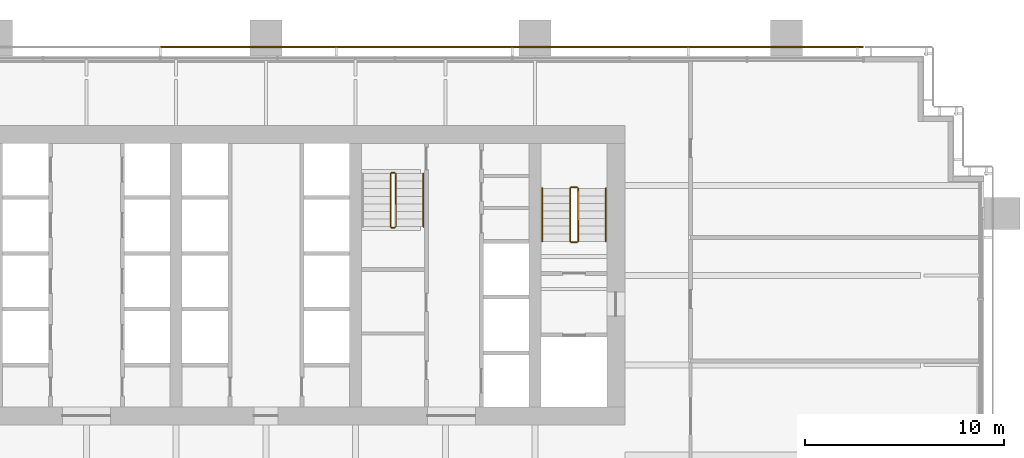
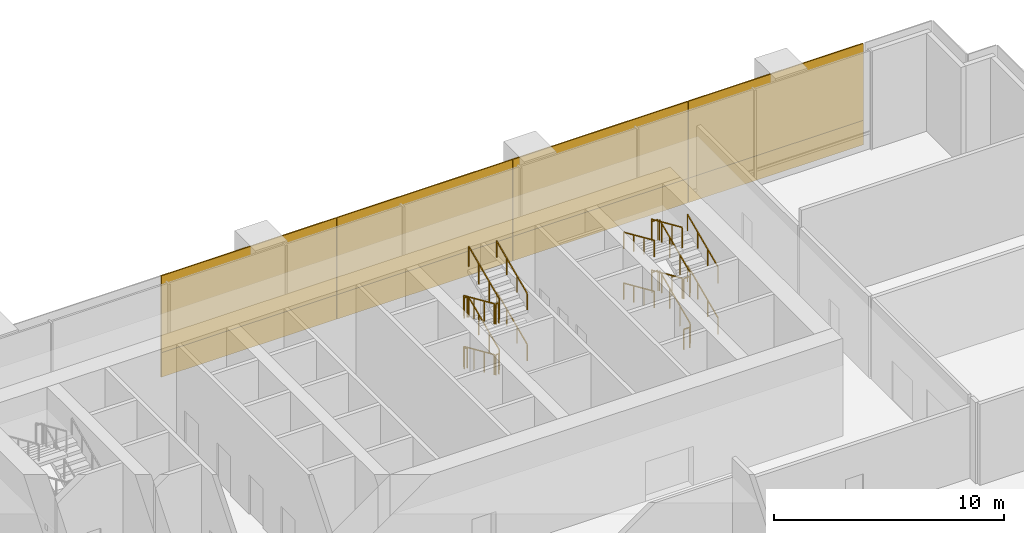
# One storey, part 14 of 15: 22 railings, 8 coverings.
"""IFC4 building model written with IfcOpenShell, lengths in metres."""

from ifc_helpers import new_model, si_unit, direction, frame, origin, origin_2d, place, context, subcontext, project, spatial, rectangle, extrude, material, layer, layer_set, type_object, element, save


model = new_model("IFC4")

# Units and contexts
model_context = context("Model", 3, precision=1e-05, world=origin(), true_north=direction((0.0, 1.0)))
body_context = subcontext(model_context, "Body", "Model", "MODEL_VIEW")
ifc_project = project(units=[si_unit("LENGTHUNIT", "METRE"), si_unit("AREAUNIT", "SQUARE_METRE"), si_unit("VOLUMEUNIT", "CUBIC_METRE"), si_unit("PLANEANGLEUNIT", "RADIAN"), si_unit("MASSUNIT", "GRAM", prefix="KILO")], contexts=[model_context])

# Site, building, storey
site_placement = place(None, origin())
site = spatial("IfcSite", under=ifc_project, at=site_placement, CompositionType="ELEMENT")
building_placement = place(site_placement, origin())
building = spatial("IfcBuilding", under=site, at=building_placement, Name="Rattan Terrace Tower", CompositionType="ELEMENT")
storey_placement = place(building_placement, frame((0.0, 0.0, 74.300048828125)))
storey = spatial("IfcBuildingStorey", under=building, at=storey_placement, Name="L16", CompositionType="ELEMENT", Elevation=74.300048828125)

# Railings
ifc_material_1 = material(Name="Powder-coated steel guard", Category="steel")
railing_type_1 = type_object("IfcRailingType", Name="Core stair guard", PredefinedType="GUARDRAIL", material=ifc_material_1)
railing_1_placement = place(storey_placement, frame((15.64990234375, 1.699951171875, 0.168701171875)))
element("IfcRailing", 1, at=railing_1_placement, inside=storey, type_object=railing_type_1, Name="L16 S2 stair guard 1", PredefinedType="GUARDRAIL", context=body_context, shape_type="SweptSolid", body=[
    extrude(rectangle(XDim=0.048095703125, YDim=0.048095703125, at=origin_2d()), frame((0.0, 0.0, 1.076171875), z_axis=(0.0, 0.913956766905, 0.405811567391), x_axis=(-1.0, 0.0, 0.0)), (0.0, 0.0, 1.0), 2.91064453125),
    extrude(rectangle(XDim=0.0419921875, YDim=0.0419921875, at=origin_2d()), origin(), (0.0, 0.0, 1.0), 1.052001953125),
    extrude(rectangle(XDim=0.0419921875, YDim=0.0419921875, at=origin_2d()), frame((0.0, 0.88671875, 0.393798828125)), (0.0, 0.0, 1.0), 1.052001953125),
    extrude(rectangle(XDim=0.0419921875, YDim=0.0419921875, at=origin_2d()), frame((0.0, 1.7734375, 0.787353515625)), (0.0, 0.0, 1.0), 1.052001953125),
    extrude(rectangle(XDim=0.0419921875, YDim=0.0419921875, at=origin_2d()), frame((0.0, 2.66015625, 1.18115234375)), (0.0, 0.0, 1.0), 1.052001953125),
])
railing_2_placement = place(storey_placement, frame((15.60009765625, 4.409912109375, 1.349853515625)))
element("IfcRailing", 2, at=railing_2_placement, inside=storey, type_object=railing_type_1, Name="L16 S2 stair guard 2", PredefinedType="GUARDRAIL", context=body_context, shape_type="SweptSolid", body=[
    extrude(rectangle(XDim=0.048095703125, YDim=0.048095703125, at=origin_2d()), frame((0.0, 0.0, 1.076171875), z_axis=(-1.0, 0.0, 0.0), x_axis=(0.0, -1.0, 0.0)), (0.0, 0.0, 1.0), 0.300048828125),
    extrude(rectangle(XDim=0.0419921875, YDim=0.0419921875, at=origin_2d()), origin(), (0.0, 0.0, 1.0), 1.052001953125),
    extrude(rectangle(XDim=0.0419921875, YDim=0.0419921875, at=origin_2d()), frame((-0.300048828125, 0.0, 0.0)), (0.0, 0.0, 1.0), 1.052001953125),
])
railing_3_placement = place(storey_placement, frame((15.25, 4.360107421875, 1.518798828125)))
element("IfcRailing", 3, at=railing_3_placement, inside=storey, type_object=railing_type_1, Name="L16 S2 stair guard 3", PredefinedType="GUARDRAIL", context=body_context, shape_type="SweptSolid", body=[
    extrude(rectangle(XDim=0.048095703125, YDim=0.048095703125, at=origin_2d()), frame((0.0, 0.0, 1.076171875), z_axis=(0.0, -0.913956766905, 0.405811567391), x_axis=(1.0, 0.0, 0.0)), (0.0, 0.0, 1.0), 2.91064453125),
    extrude(rectangle(XDim=0.0419921875, YDim=0.0419921875, at=origin_2d()), origin(), (0.0, 0.0, 1.0), 1.052001953125),
    extrude(rectangle(XDim=0.0419921875, YDim=0.0419921875, at=origin_2d()), frame((0.0, -0.88671875, 0.393798828125)), (0.0, 0.0, 1.0), 1.052001953125),
    extrude(rectangle(XDim=0.0419921875, YDim=0.0419921875, at=origin_2d()), frame((0.0, -1.7734375, 0.787353515625)), (0.0, 0.0, 1.0), 1.052001953125),
    extrude(rectangle(XDim=0.0419921875, YDim=0.0419921875, at=origin_2d()), frame((0.0, -2.66015625, 1.18115234375)), (0.0, 0.0, 1.0), 1.052001953125),
])
railing_4_placement = place(storey_placement, frame((15.60009765625, 1.64990234375, 2.699951171875)))
element("IfcRailing", 4, at=railing_4_placement, inside=storey, type_object=railing_type_1, Name="L16 S2 stair guard 4", PredefinedType="GUARDRAIL", context=body_context, shape_type="SweptSolid", body=[
    extrude(rectangle(XDim=0.048095703125, YDim=0.048095703125, at=origin_2d()), frame((0.0, 0.0, 1.076171875), z_axis=(-1.0, 0.0, 0.0), x_axis=(0.0, -1.0, 0.0)), (0.0, 0.0, 1.0), 0.300048828125),
    extrude(rectangle(XDim=0.0419921875, YDim=0.0419921875, at=origin_2d()), origin(), (0.0, 0.0, 1.0), 1.052001953125),
    extrude(rectangle(XDim=0.0419921875, YDim=0.0419921875, at=origin_2d()), frame((-0.300048828125, 0.0, 0.0)), (0.0, 0.0, 1.0), 1.052001953125),
])
railing_5_placement = place(storey_placement, frame((15.64990234375, 1.699951171875, 2.86865234375)))
element("IfcRailing", 5, at=railing_5_placement, inside=storey, type_object=railing_type_1, Name="L16 S2 stair guard 5", PredefinedType="GUARDRAIL", context=body_context, shape_type="SweptSolid", body=[
    extrude(rectangle(XDim=0.048095703125, YDim=0.048095703125, at=origin_2d()), frame((0.0, 0.0, 1.076171875), z_axis=(0.0, 0.913925654661, 0.405881630223), x_axis=(-1.0, 0.0, 0.0)), (0.0, 0.0, 1.0), 2.91064453125),
    extrude(rectangle(XDim=0.0419921875, YDim=0.0419921875, at=origin_2d()), origin(), (0.0, 0.0, 1.0), 1.052001953125),
    extrude(rectangle(XDim=0.0419921875, YDim=0.0419921875, at=origin_2d()), frame((0.0, 0.88671875, 0.393798828125)), (0.0, 0.0, 1.0), 1.052001953125),
    extrude(rectangle(XDim=0.0419921875, YDim=0.0419921875, at=origin_2d()), frame((0.0, 1.7734375, 0.78759765625)), (0.0, 0.0, 1.0), 1.052001953125),
    extrude(rectangle(XDim=0.0419921875, YDim=0.0419921875, at=origin_2d()), frame((0.0, 2.66015625, 1.181396484375)), (0.0, 0.0, 1.0), 1.052001953125),
])
railing_6_placement = place(storey_placement, frame((15.60009765625, 4.409912109375, 4.050048828125)))
element("IfcRailing", 6, at=railing_6_placement, inside=storey, type_object=railing_type_1, Name="L16 S2 stair guard 6", PredefinedType="GUARDRAIL", context=body_context, shape_type="SweptSolid", body=[
    extrude(rectangle(XDim=0.048095703125, YDim=0.048095703125, at=origin_2d()), frame((0.0, 0.0, 1.076171875), z_axis=(-1.0, 0.0, 0.0), x_axis=(0.0, -1.0, 0.0)), (0.0, 0.0, 1.0), 0.300048828125),
    extrude(rectangle(XDim=0.0419921875, YDim=0.0419921875, at=origin_2d()), origin(), (0.0, 0.0, 1.0), 1.052001953125),
    extrude(rectangle(XDim=0.0419921875, YDim=0.0419921875, at=origin_2d()), frame((-0.300048828125, 0.0, 0.0)), (0.0, 0.0, 1.0), 1.052001953125),
])
railing_7_placement = place(storey_placement, frame((15.25, 4.360107421875, 4.21875)))
element("IfcRailing", 7, at=railing_7_placement, inside=storey, type_object=railing_type_1, Name="L16 S2 stair guard 7", PredefinedType="GUARDRAIL", context=body_context, shape_type="SweptSolid", body=[
    extrude(rectangle(XDim=0.048095703125, YDim=0.048095703125, at=origin_2d()), frame((0.0, 0.0, 1.076171875), z_axis=(0.0, -0.913956766905, 0.405811567391), x_axis=(1.0, 0.0, 0.0)), (0.0, 0.0, 1.0), 2.91064453125),
    extrude(rectangle(XDim=0.0419921875, YDim=0.0419921875, at=origin_2d()), origin(), (0.0, 0.0, 1.0), 1.052001953125),
    extrude(rectangle(XDim=0.0419921875, YDim=0.0419921875, at=origin_2d()), frame((0.0, -0.88671875, 0.393798828125)), (0.0, 0.0, 1.0), 1.052001953125),
    extrude(rectangle(XDim=0.0419921875, YDim=0.0419921875, at=origin_2d()), frame((0.0, -1.7734375, 0.787353515625)), (0.0, 0.0, 1.0), 1.052001953125),
    extrude(rectangle(XDim=0.0419921875, YDim=0.0419921875, at=origin_2d()), frame((0.0, -2.66015625, 1.18115234375)), (0.0, 0.0, 1.0), 1.052001953125),
])
railing_8_placement = place(storey_placement, frame((15.60009765625, 1.64990234375, 0.0)))
element("IfcRailing", 8, at=railing_8_placement, inside=storey, type_object=railing_type_1, Name="L16 S2 stair guard 8", PredefinedType="GUARDRAIL", context=body_context, shape_type="SweptSolid", body=[
    extrude(rectangle(XDim=0.048095703125, YDim=0.048095703125, at=origin_2d()), frame((0.0, 0.0, 1.076171875), z_axis=(-1.0, 0.0, 0.0), x_axis=(0.0, -1.0, 0.0)), (0.0, 0.0, 1.0), 0.300048828125),
    extrude(rectangle(XDim=0.0419921875, YDim=0.0419921875, at=origin_2d()), origin(), (0.0, 0.0, 1.0), 1.052001953125),
    extrude(rectangle(XDim=0.0419921875, YDim=0.0419921875, at=origin_2d()), frame((-0.300048828125, 0.0, 0.0)), (0.0, 0.0, 1.0), 1.052001953125),
])
railing_9_placement = place(storey_placement, frame((6.25, 5.10009765625, 0.168701171875)))
element("IfcRailing", 9, at=railing_9_placement, inside=storey, type_object=railing_type_1, Name="L16 S3 stair guard 1", PredefinedType="GUARDRAIL", context=body_context, shape_type="SweptSolid", body=[
    extrude(rectangle(XDim=0.048095703125, YDim=0.048095703125, at=origin_2d()), frame((0.0, 0.0, 1.076171875), z_axis=(0.0, -0.913956766905, 0.405811567391), x_axis=(1.0, 0.0, 0.0)), (0.0, 0.0, 1.0), 2.91064453125),
    extrude(rectangle(XDim=0.0419921875, YDim=0.0419921875, at=origin_2d()), origin(), (0.0, 0.0, 1.0), 1.052001953125),
    extrude(rectangle(XDim=0.0419921875, YDim=0.0419921875, at=origin_2d()), frame((0.0, -0.88671875, 0.393798828125)), (0.0, 0.0, 1.0), 1.052001953125),
    extrude(rectangle(XDim=0.0419921875, YDim=0.0419921875, at=origin_2d()), frame((0.0, -1.7734375, 0.787353515625)), (0.0, 0.0, 1.0), 1.052001953125),
    extrude(rectangle(XDim=0.0419921875, YDim=0.0419921875, at=origin_2d()), frame((0.0, -2.66015625, 1.18115234375)), (0.0, 0.0, 1.0), 1.052001953125),
])
railing_10_placement = place(storey_placement, frame((6.300048828125, 2.389892578125, 1.349853515625)))
element("IfcRailing", 10, at=railing_10_placement, inside=storey, type_object=railing_type_1, Name="L16 S3 stair guard 2", PredefinedType="GUARDRAIL", context=body_context, shape_type="SweptSolid", body=[
    extrude(rectangle(XDim=0.048095703125, YDim=0.048095703125, at=origin_2d()), frame((0.0, 0.0, 1.076171875), z_axis=(1.0, 0.0, 0.0), x_axis=(0.0, 1.0, 0.0)), (0.0, 0.0, 1.0), 0.14990234375),
    extrude(rectangle(XDim=0.0419921875, YDim=0.0419921875, at=origin_2d()), origin(), (0.0, 0.0, 1.0), 1.052001953125),
    extrude(rectangle(XDim=0.0419921875, YDim=0.0419921875, at=origin_2d()), frame((0.14990234375, 0.0, 0.0)), (0.0, 0.0, 1.0), 1.052001953125),
])
railing_11_placement = place(storey_placement, frame((6.5, 2.43994140625, 1.518798828125)))
element("IfcRailing", 11, at=railing_11_placement, inside=storey, type_object=railing_type_1, Name="L16 S3 stair guard 3", PredefinedType="GUARDRAIL", context=body_context, shape_type="SweptSolid", body=[
    extrude(rectangle(XDim=0.048095703125, YDim=0.048095703125, at=origin_2d()), frame((0.0, 0.0, 1.076171875), z_axis=(0.0, 0.913956766905, 0.405811567391), x_axis=(-1.0, 0.0, 0.0)), (0.0, 0.0, 1.0), 2.91064453125),
    extrude(rectangle(XDim=0.0419921875, YDim=0.0419921875, at=origin_2d()), origin(), (0.0, 0.0, 1.0), 1.052001953125),
    extrude(rectangle(XDim=0.0419921875, YDim=0.0419921875, at=origin_2d()), frame((0.0, 0.88671875, 0.393798828125)), (0.0, 0.0, 1.0), 1.052001953125),
    extrude(rectangle(XDim=0.0419921875, YDim=0.0419921875, at=origin_2d()), frame((0.0, 1.7734375, 0.787353515625)), (0.0, 0.0, 1.0), 1.052001953125),
    extrude(rectangle(XDim=0.0419921875, YDim=0.0419921875, at=origin_2d()), frame((0.0, 2.66015625, 1.18115234375)), (0.0, 0.0, 1.0), 1.052001953125),
])
railing_12_placement = place(storey_placement, frame((6.300048828125, 5.14990234375, 2.699951171875)))
element("IfcRailing", 12, at=railing_12_placement, inside=storey, type_object=railing_type_1, Name="L16 S3 stair guard 4", PredefinedType="GUARDRAIL", context=body_context, shape_type="SweptSolid", body=[
    extrude(rectangle(XDim=0.048095703125, YDim=0.048095703125, at=origin_2d()), frame((0.0, 0.0, 1.076171875), z_axis=(1.0, 0.0, 0.0), x_axis=(0.0, 1.0, 0.0)), (0.0, 0.0, 1.0), 0.14990234375),
    extrude(rectangle(XDim=0.0419921875, YDim=0.0419921875, at=origin_2d()), origin(), (0.0, 0.0, 1.0), 1.052001953125),
    extrude(rectangle(XDim=0.0419921875, YDim=0.0419921875, at=origin_2d()), frame((0.14990234375, 0.0, 0.0)), (0.0, 0.0, 1.0), 1.052001953125),
])
railing_13_placement = place(storey_placement, frame((6.25, 5.10009765625, 2.86865234375)))
element("IfcRailing", 13, at=railing_13_placement, inside=storey, type_object=railing_type_1, Name="L16 S3 stair guard 5", PredefinedType="GUARDRAIL", context=body_context, shape_type="SweptSolid", body=[
    extrude(rectangle(XDim=0.048095703125, YDim=0.048095703125, at=origin_2d()), frame((0.0, 0.0, 1.076171875), z_axis=(0.0, -0.913925654661, 0.405881630223), x_axis=(1.0, 0.0, 0.0)), (0.0, 0.0, 1.0), 2.91064453125),
    extrude(rectangle(XDim=0.0419921875, YDim=0.0419921875, at=origin_2d()), origin(), (0.0, 0.0, 1.0), 1.052001953125),
    extrude(rectangle(XDim=0.0419921875, YDim=0.0419921875, at=origin_2d()), frame((0.0, -0.88671875, 0.393798828125)), (0.0, 0.0, 1.0), 1.052001953125),
    extrude(rectangle(XDim=0.0419921875, YDim=0.0419921875, at=origin_2d()), frame((0.0, -1.7734375, 0.78759765625)), (0.0, 0.0, 1.0), 1.052001953125),
    extrude(rectangle(XDim=0.0419921875, YDim=0.0419921875, at=origin_2d()), frame((0.0, -2.66015625, 1.181396484375)), (0.0, 0.0, 1.0), 1.052001953125),
])
railing_14_placement = place(storey_placement, frame((6.300048828125, 2.389892578125, 4.050048828125)))
element("IfcRailing", 14, at=railing_14_placement, inside=storey, type_object=railing_type_1, Name="L16 S3 stair guard 6", PredefinedType="GUARDRAIL", context=body_context, shape_type="SweptSolid", body=[
    extrude(rectangle(XDim=0.048095703125, YDim=0.048095703125, at=origin_2d()), frame((0.0, 0.0, 1.076171875), z_axis=(1.0, 0.0, 0.0), x_axis=(0.0, 1.0, 0.0)), (0.0, 0.0, 1.0), 0.14990234375),
    extrude(rectangle(XDim=0.0419921875, YDim=0.0419921875, at=origin_2d()), origin(), (0.0, 0.0, 1.0), 1.052001953125),
    extrude(rectangle(XDim=0.0419921875, YDim=0.0419921875, at=origin_2d()), frame((0.14990234375, 0.0, 0.0)), (0.0, 0.0, 1.0), 1.052001953125),
])
railing_15_placement = place(storey_placement, frame((6.5, 2.43994140625, 4.21875)))
element("IfcRailing", 15, at=railing_15_placement, inside=storey, type_object=railing_type_1, Name="L16 S3 stair guard 7", PredefinedType="GUARDRAIL", context=body_context, shape_type="SweptSolid", body=[
    extrude(rectangle(XDim=0.048095703125, YDim=0.048095703125, at=origin_2d()), frame((0.0, 0.0, 1.076171875), z_axis=(0.0, 0.913956766905, 0.405811567391), x_axis=(-1.0, 0.0, 0.0)), (0.0, 0.0, 1.0), 2.91064453125),
    extrude(rectangle(XDim=0.0419921875, YDim=0.0419921875, at=origin_2d()), origin(), (0.0, 0.0, 1.0), 1.052001953125),
    extrude(rectangle(XDim=0.0419921875, YDim=0.0419921875, at=origin_2d()), frame((0.0, 0.88671875, 0.393798828125)), (0.0, 0.0, 1.0), 1.052001953125),
    extrude(rectangle(XDim=0.0419921875, YDim=0.0419921875, at=origin_2d()), frame((0.0, 1.7734375, 0.787353515625)), (0.0, 0.0, 1.0), 1.052001953125),
    extrude(rectangle(XDim=0.0419921875, YDim=0.0419921875, at=origin_2d()), frame((0.0, 2.66015625, 1.18115234375)), (0.0, 0.0, 1.0), 1.052001953125),
])
railing_16_placement = place(storey_placement, frame((6.300048828125, 5.14990234375, 0.0)))
element("IfcRailing", 16, at=railing_16_placement, inside=storey, type_object=railing_type_1, Name="L16 S3 stair guard 8", PredefinedType="GUARDRAIL", context=body_context, shape_type="SweptSolid", body=[
    extrude(rectangle(XDim=0.048095703125, YDim=0.048095703125, at=origin_2d()), frame((0.0, 0.0, 1.076171875), z_axis=(1.0, 0.0, 0.0), x_axis=(0.0, 1.0, 0.0)), (0.0, 0.0, 1.0), 0.14990234375),
    extrude(rectangle(XDim=0.0419921875, YDim=0.0419921875, at=origin_2d()), origin(), (0.0, 0.0, 1.0), 1.052001953125),
    extrude(rectangle(XDim=0.0419921875, YDim=0.0419921875, at=origin_2d()), frame((0.14990234375, 0.0, 0.0)), (0.0, 0.0, 1.0), 1.052001953125),
])
ifc_material_2 = material(Name="Powder-coated steel handrail", Category="steel")
railing_type_2 = type_object("IfcRailingType", Name="Core stair handrail", PredefinedType="HANDRAIL", material=ifc_material_2)
railing_17_placement = place(storey_placement, frame((17.050048828125, 1.699951171875, 0.168701171875)))
element("IfcRailing", 17, at=railing_17_placement, inside=storey, type_object=railing_type_2, Name="L16 S2 stair handrail 1", PredefinedType="HANDRAIL", context=body_context, shape_type="SweptSolid", body=[
    extrude(rectangle(XDim=0.048095703125, YDim=0.048095703125, at=origin_2d()), frame((0.0, 0.0, 0.8759765625), z_axis=(0.0, 0.913956766905, 0.405811567391), x_axis=(-1.0, 0.0, 0.0)), (0.0, 0.0, 1.0), 2.91064453125),
    extrude(rectangle(XDim=0.0419921875, YDim=0.0419921875, at=origin_2d()), origin(), (0.0, 0.0, 1.0), 0.851806640625),
    extrude(rectangle(XDim=0.0419921875, YDim=0.0419921875, at=origin_2d()), frame((0.0, 0.88671875, 0.393798828125)), (0.0, 0.0, 1.0), 0.851806640625),
    extrude(rectangle(XDim=0.0419921875, YDim=0.0419921875, at=origin_2d()), frame((0.0, 1.7734375, 0.787353515625)), (0.0, 0.0, 1.0), 0.851806640625),
    extrude(rectangle(XDim=0.0419921875, YDim=0.0419921875, at=origin_2d()), frame((0.0, 2.66015625, 1.18115234375)), (0.0, 0.0, 1.0), 0.851806640625),
])
railing_18_placement = place(storey_placement, frame((13.85009765625, 4.360107421875, 1.518798828125)))
element("IfcRailing", 18, at=railing_18_placement, inside=storey, type_object=railing_type_2, Name="L16 S2 stair handrail 2", PredefinedType="HANDRAIL", context=body_context, shape_type="SweptSolid", body=[
    extrude(rectangle(XDim=0.048095703125, YDim=0.048095703125, at=origin_2d()), frame((0.0, 0.0, 0.8759765625), z_axis=(0.0, -0.913956766905, 0.405811567391), x_axis=(1.0, 0.0, 0.0)), (0.0, 0.0, 1.0), 2.91064453125),
    extrude(rectangle(XDim=0.0419921875, YDim=0.0419921875, at=origin_2d()), origin(), (0.0, 0.0, 1.0), 0.851806640625),
    extrude(rectangle(XDim=0.0419921875, YDim=0.0419921875, at=origin_2d()), frame((0.0, -0.88671875, 0.393798828125)), (0.0, 0.0, 1.0), 0.851806640625),
    extrude(rectangle(XDim=0.0419921875, YDim=0.0419921875, at=origin_2d()), frame((0.0, -1.7734375, 0.787353515625)), (0.0, 0.0, 1.0), 0.851806640625),
    extrude(rectangle(XDim=0.0419921875, YDim=0.0419921875, at=origin_2d()), frame((0.0, -2.66015625, 1.18115234375)), (0.0, 0.0, 1.0), 0.851806640625),
])
railing_19_placement = place(storey_placement, frame((17.050048828125, 1.699951171875, 2.86865234375)))
element("IfcRailing", 19, at=railing_19_placement, inside=storey, type_object=railing_type_2, Name="L16 S2 stair handrail 3", PredefinedType="HANDRAIL", context=body_context, shape_type="SweptSolid", body=[
    extrude(rectangle(XDim=0.048095703125, YDim=0.048095703125, at=origin_2d()), frame((0.0, 0.0, 0.8759765625), z_axis=(0.0, 0.913925654661, 0.405881630223), x_axis=(-1.0, 0.0, 0.0)), (0.0, 0.0, 1.0), 2.91064453125),
    extrude(rectangle(XDim=0.0419921875, YDim=0.0419921875, at=origin_2d()), origin(), (0.0, 0.0, 1.0), 0.851806640625),
    extrude(rectangle(XDim=0.0419921875, YDim=0.0419921875, at=origin_2d()), frame((0.0, 0.88671875, 0.393798828125)), (0.0, 0.0, 1.0), 0.851806640625),
    extrude(rectangle(XDim=0.0419921875, YDim=0.0419921875, at=origin_2d()), frame((0.0, 1.7734375, 0.78759765625)), (0.0, 0.0, 1.0), 0.851806640625),
    extrude(rectangle(XDim=0.0419921875, YDim=0.0419921875, at=origin_2d()), frame((0.0, 2.66015625, 1.181396484375)), (0.0, 0.0, 1.0), 0.851806640625),
])
railing_20_placement = place(storey_placement, frame((13.85009765625, 4.360107421875, 4.21875)))
element("IfcRailing", 20, at=railing_20_placement, inside=storey, type_object=railing_type_2, Name="L16 S2 stair handrail 4", PredefinedType="HANDRAIL", context=body_context, shape_type="SweptSolid", body=[
    extrude(rectangle(XDim=0.048095703125, YDim=0.048095703125, at=origin_2d()), frame((0.0, 0.0, 0.8759765625), z_axis=(0.0, -0.913956766905, 0.405811567391), x_axis=(1.0, 0.0, 0.0)), (0.0, 0.0, 1.0), 2.91064453125),
    extrude(rectangle(XDim=0.0419921875, YDim=0.0419921875, at=origin_2d()), origin(), (0.0, 0.0, 1.0), 0.851806640625),
    extrude(rectangle(XDim=0.0419921875, YDim=0.0419921875, at=origin_2d()), frame((0.0, -0.88671875, 0.393798828125)), (0.0, 0.0, 1.0), 0.851806640625),
    extrude(rectangle(XDim=0.0419921875, YDim=0.0419921875, at=origin_2d()), frame((0.0, -1.7734375, 0.787353515625)), (0.0, 0.0, 1.0), 0.851806640625),
    extrude(rectangle(XDim=0.0419921875, YDim=0.0419921875, at=origin_2d()), frame((0.0, -2.66015625, 1.18115234375)), (0.0, 0.0, 1.0), 0.851806640625),
])
for number, where, name in (
    (21, (7.89990234375, 2.43994140625, 1.518798828125), "L16 S3 stair handrail 2"),
    (22, (7.89990234375, 2.43994140625, 4.21875), "L16 S3 stair handrail 4"),
):
    element("IfcRailing", number, at=place(storey_placement, frame(where)), inside=storey, type_object=railing_type_2, Name=name, PredefinedType="HANDRAIL", context=body_context, shape_type="SweptSolid", body=[
        extrude(rectangle(XDim=0.048095703125, YDim=0.048095703125, at=origin_2d()), frame((0.0, 0.0, 0.8759765625), z_axis=(0.0, 0.913956766905, 0.405811567391), x_axis=(-1.0, 0.0, 0.0)), (0.0, 0.0, 1.0), 2.91064453125),
        extrude(rectangle(XDim=0.0419921875, YDim=0.0419921875, at=origin_2d()), origin(), (0.0, 0.0, 1.0), 0.851806640625),
        extrude(rectangle(XDim=0.0419921875, YDim=0.0419921875, at=origin_2d()), frame((0.0, 0.88671875, 0.393798828125)), (0.0, 0.0, 1.0), 0.851806640625),
        extrude(rectangle(XDim=0.0419921875, YDim=0.0419921875, at=origin_2d()), frame((0.0, 1.7734375, 0.787353515625)), (0.0, 0.0, 1.0), 0.851806640625),
        extrude(rectangle(XDim=0.0419921875, YDim=0.0419921875, at=origin_2d()), frame((0.0, 2.66015625, 1.18115234375)), (0.0, 0.0, 1.0), 0.851806640625),
    ])

# Coverings
ifc_material_3 = material(Name="Solid terracotta", Category="masonry")
ifc_layer_1 = layer(ifc_material_3, 0.06005859375)
ifc_layer_set_1 = layer_set([ifc_layer_1], Name="Facade Terracotta Band Panel")
covering_type_1 = type_object("IfcCoveringType", Name="Facade Terracotta Band Panel", PredefinedType="CLADDING", material=ifc_layer_set_1)
covering_1_placement = place(storey_placement, frame((25.573486328125, 11.449951171875, -0.18994140625), z_axis=(0.0, 0.0, 1.0), x_axis=(-1.0, 0.0, 0.0)))
element("IfcCovering", 23, at=covering_1_placement, inside=storey, type_object=covering_type_1, Name="OUTER SKIN panel L16-15A", PredefinedType="CLADDING", context=body_context, shape_type="SweptSolid", body=[
    extrude(rectangle(XDim=8.77294921875, YDim=0.06005859375, at=origin_2d()), origin(), (0.0, 0.0, 1.0), 1.300048828125),
])
for number, where, z_axis, x_axis, name in (
    (24, (16.765380859375, 11.449951171875, -0.18994140625), (0.0, 0.0, 1.0), (-1.0, 0.0, 0.0), "OUTER SKIN panel L16-16A"),
    (25, (7.9423828125, 11.449951171875, -0.18994140625), (0.0, 0.0, 1.0), (-1.0, 0.0, 0.0), "OUTER SKIN panel L16-17A"),
    (26, (-0.880615234375, 11.449951171875, -0.18994140625), (0.0, 0.0, 1.0), (-1.0, 0.0, 0.0), "OUTER SKIN panel L16-18A"),
):
    element("IfcCovering", number, at=place(storey_placement, frame(where, z_axis=z_axis, x_axis=x_axis)), inside=storey, type_object=covering_type_1, Name=name, PredefinedType="CLADDING", context=body_context, shape_type="SweptSolid", body=[
        extrude(rectangle(XDim=8.802978515625, YDim=0.06005859375, at=origin_2d()), origin(), (0.0, 0.0, 1.0), 1.300048828125),
    ])
ifc_material_4 = material(Name="Perforated terracotta", Category="masonry")
ifc_layer_2 = layer(ifc_material_4, 0.06005859375)
ifc_layer_set_2 = layer_set([ifc_layer_2], Name="Facade Terracotta Screen Panel")
covering_type_2 = type_object("IfcCoveringType", Name="Facade Terracotta Screen Panel", PredefinedType="CLADDING", material=ifc_layer_set_2)
covering_2_placement = place(storey_placement, frame((25.573486328125, 11.449951171875, 1.10986328125), z_axis=(0.0, 0.0, 1.0), x_axis=(-1.0, 0.0, 0.0)))
element("IfcCovering", 27, at=covering_2_placement, inside=storey, type_object=covering_type_2, Name="OUTER SKIN panel L16-15B", PredefinedType="CLADDING", context=body_context, shape_type="SweptSolid", body=[
    extrude(rectangle(XDim=8.77294921875, YDim=0.06005859375, at=origin_2d()), origin(), (0.0, 0.0, 1.0), 4.080078125),
])
for number, where, z_axis, x_axis, name in (
    (28, (16.765380859375, 11.449951171875, 1.10986328125), (0.0, 0.0, 1.0), (-1.0, 0.0, 0.0), "OUTER SKIN panel L16-16B"),
    (29, (7.9423828125, 11.449951171875, 1.10986328125), (0.0, 0.0, 1.0), (-1.0, 0.0, 0.0), "OUTER SKIN panel L16-17B"),
    (30, (-0.880615234375, 11.449951171875, 1.10986328125), (0.0, 0.0, 1.0), (-1.0, 0.0, 0.0), "OUTER SKIN panel L16-18B"),
):
    element("IfcCovering", number, at=place(storey_placement, frame(where, z_axis=z_axis, x_axis=x_axis)), inside=storey, type_object=covering_type_2, Name=name, PredefinedType="CLADDING", context=body_context, shape_type="SweptSolid", body=[
        extrude(rectangle(XDim=8.802978515625, YDim=0.06005859375, at=origin_2d()), origin(), (0.0, 0.0, 1.0), 4.080078125),
    ])

save(model, "model.ifc")
